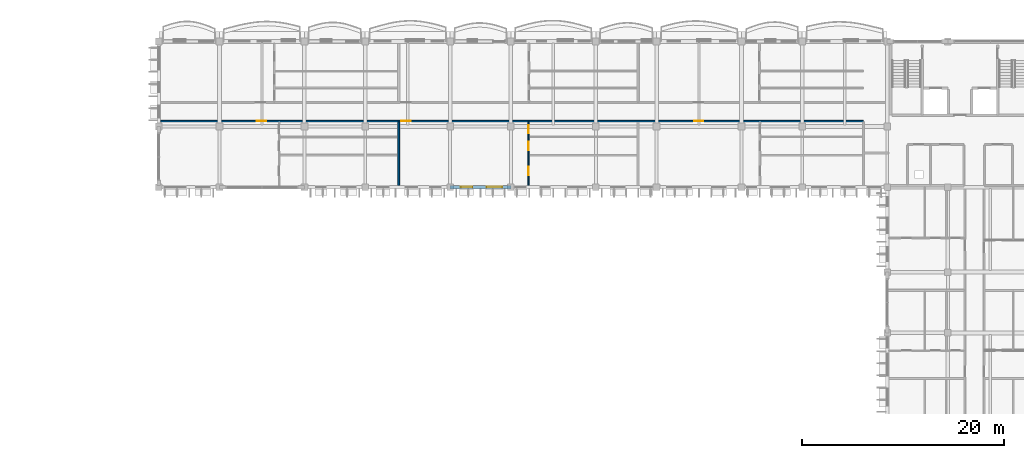
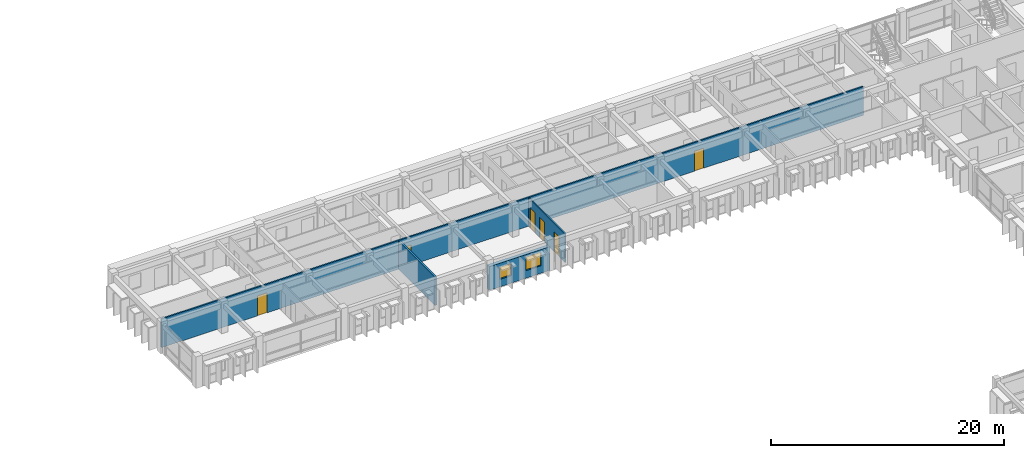
# One storey, part 38 of 79: 6 doors, 4 walls, 2 windows, 8 openings.
"""IFC4 building model written with IfcOpenShell, lengths in metres."""

from ifc_helpers import new_model, si_unit, direction, frame, frame_2d, origin, place, context, subcontext, project, spatial, rectangle, extrude, material, layer, layer_set, type_object, element, fill, save


model = new_model("IFC4")

# Units and contexts
model_context = context("Model", 3, precision=1e-05, world=origin(), true_north=direction((0.0, 1.0)))
body_context = subcontext(model_context, "Body", "Model", "MODEL_VIEW")
ifc_project = project(units=[si_unit("LENGTHUNIT", "METRE"), si_unit("AREAUNIT", "SQUARE_METRE"), si_unit("VOLUMEUNIT", "CUBIC_METRE"), si_unit("PLANEANGLEUNIT", "RADIAN"), si_unit("MASSUNIT", "GRAM", prefix="KILO"), si_unit("THERMODYNAMICTEMPERATUREUNIT", "KELVIN")], contexts=[model_context])

# Site, building, storey
site_placement = place(None, origin())
site = spatial("IfcSite", under=ifc_project, at=site_placement, CompositionType="ELEMENT")
building_placement = place(site_placement, origin())
building = spatial("IfcBuilding", under=site, at=building_placement, Name="Thalorik Housing Commons", CompositionType="ELEMENT")
storey_placement = place(building_placement, frame((0.0, 0.0, 11.39990234375)))
storey = spatial("IfcBuildingStorey", under=building, at=storey_placement, Name="L03", CompositionType="ELEMENT", Elevation=11.39990234375)

# Wall, openings, doors
ifc_material_1 = material(Name="Masonry fire-rated corridor wall", Category="masonry")
ifc_layer_1 = layer(ifc_material_1, 0.14990234375, Name="Masonry fire-rated corridor wall", Category="masonry")
ifc_layer_set_1 = layer_set([ifc_layer_1], Name="Masonry fire-rated corridor wall")
wall_type_1 = type_object("IfcWallType", Name="ARC-WAL-CORR-150", PredefinedType="PARTITIONING", material=ifc_layer_set_1)
wall_1_placement = place(storey_placement, frame((80.576904296875, 115.719970703125, 0.0), z_axis=(0.0, 0.0, 1.0), x_axis=(1.0, 0.0, 0.0)))
wall_1 = element("IfcWall", 1, at=wall_1_placement, inside=storey, type_object=wall_type_1, Name="L03 Block B N Corridor Wall 1", PredefinedType="PARTITIONING", context=body_context, shape_type="SweptSolid", body=[
    extrude(rectangle(XDim=69.47314453125, YDim=0.14990234375, at=frame_2d((34.736572265625, 0.0))), origin(), (0.0, 0.0, 1.0), 3.0),
])
opening_1_placement = place(wall_1_placement, frame((9.53076171875, 0.0, 0.0)))
opening_1 = element("IfcOpeningElement", 2, at=opening_1_placement, cuts=wall_1, Name="Opening ID-1092", PredefinedType="OPENING", context=body_context, shape_type="SweptSolid", body=[
    extrude(rectangle(XDim=0.919921875, YDim=2.10009765625, at=frame_2d((0.4599609375, 1.050048828125))), frame((0.0, 0.0849609375, 0.0), z_axis=(0.0, -1.0, 0.0), x_axis=(1.0, 0.0, 0.0)), (0.0, 0.0, 1.0), 0.169921875),
])
opening_2_placement = place(wall_1_placement, frame((23.79296875, 0.0, 0.0)))
opening_2 = element("IfcOpeningElement", 3, at=opening_2_placement, cuts=wall_1, Name="Opening ID-1093", PredefinedType="OPENING", context=body_context, shape_type="SweptSolid", body=[
    extrude(rectangle(XDim=0.919921875, YDim=2.10009765625, at=frame_2d((0.4599609375, 1.050048828125))), frame((0.0, 0.0849609375, 0.0), z_axis=(0.0, -1.0, 0.0), x_axis=(1.0, 0.0, 0.0)), (0.0, 0.0, 1.0), 0.169921875),
])
opening_3_placement = place(wall_1_placement, frame((52.740478515625, 0.0, 0.0)))
opening_3 = element("IfcOpeningElement", 4, at=opening_3_placement, cuts=wall_1, Name="Opening ID-1094", PredefinedType="OPENING", context=body_context, shape_type="SweptSolid", body=[
    extrude(rectangle(XDim=0.919921875, YDim=2.10009765625, at=frame_2d((0.4599609375, 1.050048828125))), frame((0.0, 0.0849609375, 0.0), z_axis=(0.0, -1.0, 0.0), x_axis=(1.0, 0.0, 0.0)), (0.0, 0.0, 1.0), 0.169921875),
])
ifc_material_2 = material(Name="Solid core hardwood timber", Category="wood")
door_type_1 = type_object("IfcDoorType", Name="ARC-DR-FD30-920", OperationType="NOTDEFINED", PredefinedType="DOOR", material=ifc_material_2)
door_1_placement = place(opening_1_placement, origin())
door_1 = element("IfcDoor", 5, at=door_1_placement, inside=storey, type_object=door_type_1, Name="L03 Flat BN-1A Entrance Door", OperationType="SINGLE_SWING_LEFT", OverallHeight=2.10009765625, OverallWidth=0.919921875, PredefinedType="DOOR", context=body_context, shape_type="SweptSolid", body=[
    extrude(rectangle(XDim=0.919921875, YDim=2.10009765625, at=frame_2d((0.4599609375, 1.050048828125))), frame((0.0, 0.02490234375, 0.0), z_axis=(0.0, -1.0, 0.0), x_axis=(1.0, 0.0, 0.0)), (0.0, 0.0, 1.0), 0.050048828125),
])
fill(opening_1, door_1)
door_2_placement = place(opening_2_placement, origin())
door_2 = element("IfcDoor", 6, at=door_2_placement, inside=storey, type_object=door_type_1, Name="L03 Flat BN-2A Entrance Door", OperationType="SINGLE_SWING_RIGHT", OverallHeight=2.10009765625, OverallWidth=0.919921875, PredefinedType="DOOR", context=body_context, shape_type="SweptSolid", body=[
    extrude(rectangle(XDim=0.919921875, YDim=2.10009765625, at=frame_2d((0.4599609375, 1.050048828125))), frame((0.0, 0.02490234375, 0.0), z_axis=(0.0, -1.0, 0.0), x_axis=(1.0, 0.0, 0.0)), (0.0, 0.0, 1.0), 0.050048828125),
])
fill(opening_2, door_2)
door_3_placement = place(opening_3_placement, origin())
door_3 = element("IfcDoor", 7, at=door_3_placement, inside=storey, type_object=door_type_1, Name="L03 Flat BN-3A Entrance Door", OperationType="SINGLE_SWING_LEFT", OverallHeight=2.10009765625, OverallWidth=0.919921875, PredefinedType="DOOR", context=body_context, shape_type="SweptSolid", body=[
    extrude(rectangle(XDim=0.919921875, YDim=2.10009765625, at=frame_2d((0.4599609375, 1.050048828125))), frame((0.0, 0.02490234375, 0.0), z_axis=(0.0, -1.0, 0.0), x_axis=(1.0, 0.0, 0.0)), (0.0, 0.0, 1.0), 0.050048828125),
])
fill(opening_3, door_3)

# Wall, openings, windows
ifc_material_3 = material(Name="White precast concrete C40/50", Category="concrete")
ifc_layer_2 = layer(ifc_material_3, 0.35009765625, Name="White precast concrete C40/50", Category="concrete")
ifc_layer_set_2 = layer_set([ifc_layer_2], Name="White precast concrete C40/50")
wall_type_2 = type_object("IfcWallType", Name="ARC-WAL-EXT-350", PredefinedType="STANDARD", material=ifc_layer_set_2)
wall_2_placement = place(storey_placement, frame((109.199951171875, 109.199951171875, 0.0), z_axis=(0.0, 0.0, 1.0), x_axis=(1.0, 0.0, 0.0)))
wall_2 = element("IfcWall", 8, at=wall_2_placement, inside=storey, type_object=wall_type_2, Name="L03 Exterior Wall WAL-EXT-L03-B-0504", PredefinedType="STANDARD", context=body_context, shape_type="SweptSolid", body=[
    extrude(rectangle(XDim=6.0, YDim=0.35009765625, at=frame_2d((3.0, 0.0))), origin(), (0.0, 0.0, 1.0), 2.47509765625),
])
opening_4_placement = place(wall_2_placement, frame((1.054931640625, 0.0, 0.780029296875)))
opening_4 = element("IfcOpeningElement", 9, at=opening_4_placement, cuts=wall_2, Name="Opening W-45", PredefinedType="OPENING", context=body_context, shape_type="SweptSolid", body=[
    extrude(rectangle(XDim=1.14990234375, YDim=1.25, at=frame_2d((0.574951171875, 0.625))), frame((0.0, 0.18505859375, 0.0), z_axis=(0.0, -1.0, 0.0), x_axis=(1.0, 0.0, 0.0)), (0.0, 0.0, 1.0), 0.3701171875),
])
opening_5_placement = place(wall_2_placement, frame((3.610107421875, 0.0, 0.780029296875)))
opening_5 = element("IfcOpeningElement", 10, at=opening_5_placement, cuts=wall_2, Name="Opening W-52", PredefinedType="OPENING", context=body_context, shape_type="SweptSolid", body=[
    extrude(rectangle(XDim=1.52001953125, YDim=1.419921875, at=frame_2d((0.760009765625, 0.7099609375))), frame((0.0, 0.18505859375, 0.0), z_axis=(0.0, -1.0, 0.0), x_axis=(1.0, 0.0, 0.0)), (0.0, 0.0, 1.0), 0.3701171875),
])
ifc_material_4 = material(Name="Anodised aluminium and solar-control low-E glass", Category="aluminium")
window_type_1 = type_object("IfcWindowType", Name="ARC-WIN-45", PartitioningType="SINGLE_PANEL", PredefinedType="WINDOW", material=ifc_material_4)
window_1_placement = place(opening_4_placement, origin())
window_1 = element("IfcWindow", 11, at=window_1_placement, inside=storey, type_object=window_type_1, Name="L03 Facade Window 904", OverallHeight=1.25, OverallWidth=1.14990234375, PartitioningType="SINGLE_PANEL", PredefinedType="WINDOW", context=body_context, shape_type="SweptSolid", body=[
    extrude(rectangle(XDim=1.14990234375, YDim=1.25, at=frame_2d((0.574951171875, 0.625))), frame((0.0, 0.030029296875, 0.0), z_axis=(0.0, -1.0, 0.0), x_axis=(1.0, 0.0, 0.0)), (0.0, 0.0, 1.0), 0.06005859375),
])
fill(opening_4, window_1)
window_type_2 = type_object("IfcWindowType", Name="ARC-WIN-52", PartitioningType="SINGLE_PANEL", PredefinedType="WINDOW", material=ifc_material_4)
window_2_placement = place(opening_5_placement, origin())
window_2 = element("IfcWindow", 12, at=window_2_placement, inside=storey, type_object=window_type_2, Name="L03 Facade Window 905", OverallHeight=1.419921875, OverallWidth=1.52001953125, PartitioningType="SINGLE_PANEL", PredefinedType="WINDOW", context=body_context, shape_type="SweptSolid", body=[
    extrude(rectangle(XDim=1.52001953125, YDim=1.419921875, at=frame_2d((0.760009765625, 0.7099609375))), frame((0.0, 0.030029296875, 0.0), z_axis=(0.0, -1.0, 0.0), x_axis=(1.0, 0.0, 0.0)), (0.0, 0.0, 1.0), 0.06005859375),
])
fill(opening_5, window_2)

# Wall, openings, doors
ifc_material_5 = material(Name="Gypsum acoustic stud partition", Category="masonry")
ifc_layer_3 = layer(ifc_material_5, 0.125, Name="Gypsum acoustic stud partition", Category="masonry")
ifc_layer_set_3 = layer_set([ifc_layer_3], Name="Gypsum acoustic stud partition")
wall_type_3 = type_object("IfcWallType", Name="ARC-WAL-PART-125", PredefinedType="PARTITIONING", material=ifc_layer_set_3)
wall_3_placement = place(storey_placement, frame((116.949951171875, 109.376953125, 0.0), z_axis=(0.0, 0.0, 1.0), x_axis=(0.0, 1.0, 0.0)))
wall_3 = element("IfcWall", 13, at=wall_3_placement, inside=storey, type_object=wall_type_3, Name="L03 Unit 2 Spine Partition", PredefinedType="PARTITIONING", context=body_context, shape_type="SweptSolid", body=[
    extrude(rectangle(XDim=6.26611328125, YDim=0.125, at=frame_2d((3.133056640625, 0.0))), origin(), (0.0, 0.0, 1.0), 3.0),
])
opening_6_placement = place(wall_3_placement, frame((1.00830078125, 0.0, 0.0)))
opening_6 = element("IfcOpeningElement", 14, at=opening_6_placement, cuts=wall_3, Name="Opening ID-1080", PredefinedType="OPENING", context=body_context, shape_type="SweptSolid", body=[
    extrude(rectangle(XDim=0.820068359375, YDim=2.080078125, at=frame_2d((0.41015625, 1.0400390625))), frame((0.0, 0.072509765625, 0.0), z_axis=(0.0, -1.0, 0.0), x_axis=(1.0, 0.0, 0.0)), (0.0, 0.0, 1.0), 0.14501953125),
])
opening_7_placement = place(wall_3_placement, frame((3.463134765625, 0.0, 0.0)))
opening_7 = element("IfcOpeningElement", 15, at=opening_7_placement, cuts=wall_3, Name="Opening ID-1081", PredefinedType="OPENING", context=body_context, shape_type="SweptSolid", body=[
    extrude(rectangle(XDim=0.85009765625, YDim=2.10009765625, at=frame_2d((0.425048828125, 1.050048828125))), frame((0.0, 0.072509765625, 0.0), z_axis=(0.0, -1.0, 0.0), x_axis=(1.0, 0.0, 0.0)), (0.0, 0.0, 1.0), 0.14501953125),
])
opening_8_placement = place(wall_3_placement, frame((5.167724609375, 0.0, 0.0)))
opening_8 = element("IfcOpeningElement", 16, at=opening_8_placement, cuts=wall_3, Name="Opening ID-1082", PredefinedType="OPENING", context=body_context, shape_type="SweptSolid", body=[
    extrude(rectangle(XDim=0.800048828125, YDim=2.10009765625, at=frame_2d((0.39990234375, 1.050048828125))), frame((0.0, 0.072509765625, 0.0), z_axis=(0.0, -1.0, 0.0), x_axis=(1.0, 0.0, 0.0)), (0.0, 0.0, 1.0), 0.14501953125),
])
ifc_material_6 = material(Name="Moisture-resistant timber", Category="wood")
door_type_2 = type_object("IfcDoorType", Name="ARC-DR-INT-800", OperationType="NOTDEFINED", PredefinedType="DOOR", material=ifc_material_6)
door_4_placement = place(opening_8_placement, origin())
door_4 = element("IfcDoor", 17, at=door_4_placement, inside=storey, type_object=door_type_2, Name="L03 Accessible Bathroom Door", OperationType="SINGLE_SWING_LEFT", OverallHeight=2.10009765625, OverallWidth=0.800048828125, PredefinedType="DOOR", context=body_context, shape_type="SweptSolid", body=[
    extrude(rectangle(XDim=0.800048828125, YDim=2.10009765625, at=frame_2d((0.39990234375, 1.050048828125))), frame((0.0, 0.02490234375, 0.0), z_axis=(0.0, -1.0, 0.0), x_axis=(1.0, 0.0, 0.0)), (0.0, 0.0, 1.0), 0.050048828125),
])
fill(opening_8, door_4)
ifc_material_7 = material(Name="Engineered oak timber", Category="wood")
door_type_3 = type_object("IfcDoorType", Name="ARC-DR-INT-820", OperationType="NOTDEFINED", PredefinedType="DOOR", material=ifc_material_7)
door_5_placement = place(opening_6_placement, origin())
door_5 = element("IfcDoor", 18, at=door_5_placement, inside=storey, type_object=door_type_3, Name="L03 Double Bedroom Door", OperationType="SINGLE_SWING_LEFT", OverallHeight=2.080078125, OverallWidth=0.820068359375, PredefinedType="DOOR", context=body_context, shape_type="SweptSolid", body=[
    extrude(rectangle(XDim=0.820068359375, YDim=2.080078125, at=frame_2d((0.41015625, 1.0400390625))), frame((0.0, 0.02490234375, 0.0), z_axis=(0.0, -1.0, 0.0), x_axis=(1.0, 0.0, 0.0)), (0.0, 0.0, 1.0), 0.050048828125),
])
fill(opening_6, door_5)
door_type_4 = type_object("IfcDoorType", Name="ARC-DR-INT-850", OperationType="NOTDEFINED", PredefinedType="DOOR", material=ifc_material_7)
door_6_placement = place(opening_7_placement, origin())
door_6 = element("IfcDoor", 19, at=door_6_placement, inside=storey, type_object=door_type_4, Name="L03 Galley Kitchen Door", OperationType="SINGLE_SWING_RIGHT", OverallHeight=2.10009765625, OverallWidth=0.85009765625, PredefinedType="DOOR", context=body_context, shape_type="SweptSolid", body=[
    extrude(rectangle(XDim=0.85009765625, YDim=2.10009765625, at=frame_2d((0.425048828125, 1.050048828125))), frame((0.0, 0.02490234375, 0.0), z_axis=(0.0, -1.0, 0.0), x_axis=(1.0, 0.0, 0.0)), (0.0, 0.0, 1.0), 0.050048828125),
])
fill(opening_7, door_6)

# Wall
ifc_material_8 = material(Name="Masonry acoustic blockwork wall", Category="masonry")
ifc_layer_4 = layer(ifc_material_8, 0.18505859375, Name="Masonry acoustic blockwork wall", Category="masonry")
ifc_layer_set_4 = layer_set([ifc_layer_4], Name="Masonry acoustic blockwork wall")
wall_type_4 = type_object("IfcWallType", Name="ARC-WAL-PARTY-185", PredefinedType="PARTITIONING", material=ifc_layer_set_4)
wall_4_placement = place(storey_placement, frame((104.1201171875, 109.376953125, 0.0), z_axis=(0.0, 0.0, 1.0), x_axis=(0.0, 1.0, 0.0)))
element("IfcWall", 20, at=wall_4_placement, inside=storey, type_object=wall_type_4, Name="L03 Inter-Tenancy Wall 1A", PredefinedType="PARTITIONING", context=body_context, shape_type="SweptSolid", body=[
    extrude(rectangle(XDim=6.26611328125, YDim=0.18505859375, at=frame_2d((3.133056640625, 0.0))), origin(), (0.0, 0.0, 1.0), 3.0),
])

save(model, "model.ifc")
